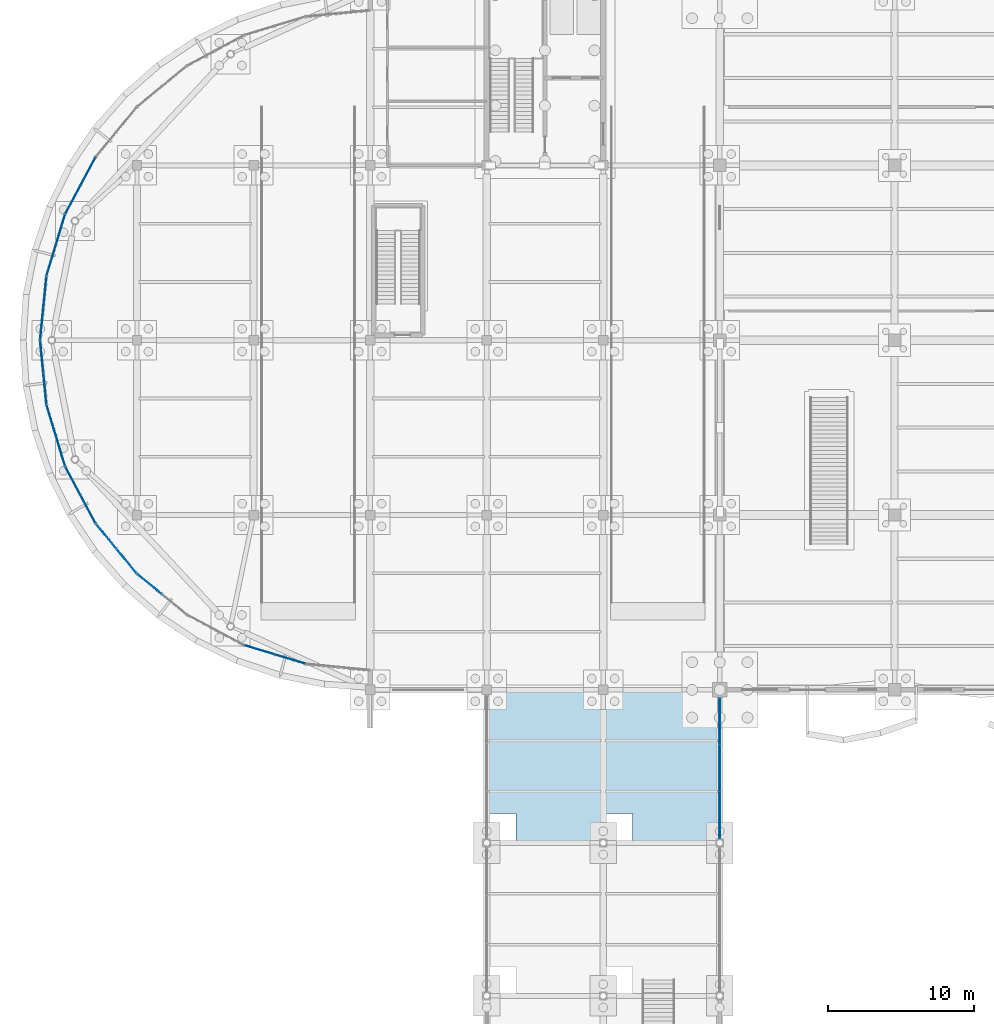
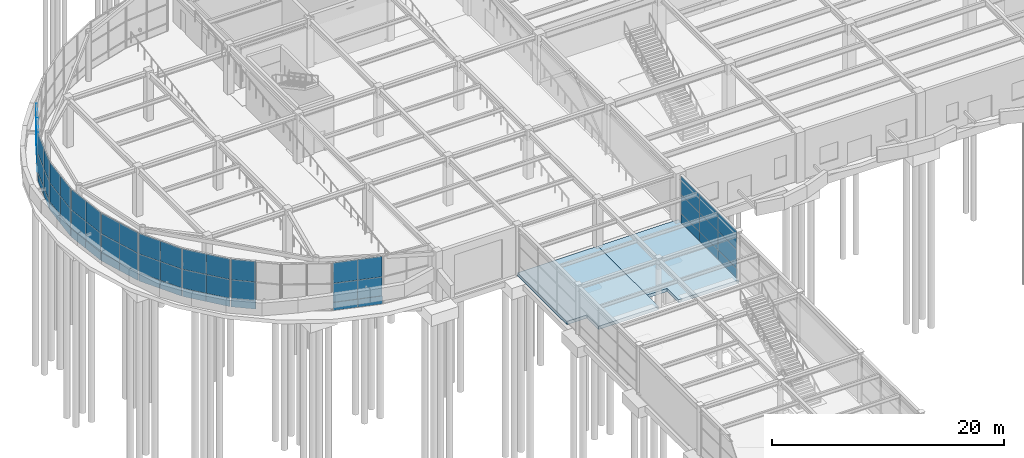
# One storey, part 52 of 85: 60 plates, 2 slabs, 10 elements without a shape of their own.
"""IFC4 building model written with IfcOpenShell, lengths in metres."""

from ifc_helpers import new_model, si_unit, direction, frame, origin, origin_2d, place, context, subcontext, project, spatial, polyline, rectangle, outline, extrude, material, layer, layer_set, type_object, element, aggregate, save


model = new_model("IFC4")

# Units and contexts
model_context = context("Model", 3, precision=1e-05, world=origin(), true_north=direction((0.0, 1.0)))
body_context = subcontext(model_context, "Body", "Model", "MODEL_VIEW")
ifc_project = project(units=[si_unit("LENGTHUNIT", "METRE"), si_unit("AREAUNIT", "SQUARE_METRE"), si_unit("VOLUMEUNIT", "CUBIC_METRE"), si_unit("PLANEANGLEUNIT", "RADIAN"), si_unit("MASSUNIT", "GRAM", prefix="KILO")], contexts=[model_context])

# Site, building, storey
site_placement = place(None, origin())
site = spatial("IfcSite", under=ifc_project, at=site_placement, CompositionType="ELEMENT")
building_placement = place(site_placement, origin())
building = spatial("IfcBuilding", under=site, at=building_placement, Name="Keelwater Ferry Terminal", CompositionType="ELEMENT")
storey_placement = place(building_placement, origin())
storey = spatial("IfcBuildingStorey", under=building, at=storey_placement, Name="L00", CompositionType="ELEMENT", Elevation=0.0)

# Curtain wall, plates
ifc_material_1 = material(Name="Thermally broken unitised aluminium and triple glass", Category="aluminium")
ifc_layer_1 = layer(ifc_material_1, 0.179931640625)
ifc_layer_set_1 = layer_set([ifc_layer_1], Name="Thermally broken unitised aluminium and triple glass")
curtain_wall_type_1 = type_object("IfcCurtainWallType", Name="CW-12 Unitised Curtain Wall 9596x4950", PredefinedType="USERDEFINED", material=ifc_layer_set_1)
curtain_wall_1_placement = place(storey_placement, origin())
curtain_wall_1 = element("IfcCurtainWall", 1, at=curtain_wall_1_placement, inside=storey, type_object=curtain_wall_type_1, Name="Unitised Curtain Wall CW-L00-057", ObjectType="UNITISED CURTAIN WALL", PredefinedType="USERDEFINED")
ifc_material_2 = material(Name="Insulated aluminium spandrel", Category="aluminium")
ifc_layer_2 = layer(ifc_material_2, 0.080078125)
ifc_layer_set_2 = layer_set([ifc_layer_2], Name="Insulated aluminium spandrel")
plate_type_1 = type_object("IfcPlateType", Name="CWP-S1 Insulated Spandrel Panel 80", PredefinedType="CURTAIN_PANEL", material=ifc_layer_set_2)
plate_1_placement = place(storey_placement, frame((48.0, 33.42822265625, 0.0), z_axis=(0.0, 0.0, 1.0), x_axis=(0.0, 1.0, 0.0)))
plate_1 = element("IfcPlate", 2, at=plate_1_placement, type_object=plate_type_1, Name="CW-L00-057 Panel 1.1", PredefinedType="CURTAIN_PANEL", context=body_context, shape_type="SweptSolid", body=[
    extrude(rectangle(XDim=3.19873046875, YDim=0.080078125, at=origin_2d()), origin(), (0.0, 0.0, 1.0), 1.0),
])
plate_2_placement = place(storey_placement, frame((48.0, 36.626953125, 0.0), z_axis=(0.0, 0.0, 1.0), x_axis=(0.0, 1.0, 0.0)))
plate_2 = element("IfcPlate", 3, at=plate_2_placement, type_object=plate_type_1, Name="CW-L00-057 Panel 2.1", PredefinedType="CURTAIN_PANEL", context=body_context, shape_type="SweptSolid", body=[
    extrude(rectangle(XDim=3.19873046875, YDim=0.080078125, at=origin_2d()), origin(), (0.0, 0.0, 1.0), 1.0),
])
plate_3_placement = place(storey_placement, frame((48.0, 39.82568359375, 0.0), z_axis=(0.0, 0.0, 1.0), x_axis=(0.0, 1.0, 0.0)))
plate_3 = element("IfcPlate", 4, at=plate_3_placement, type_object=plate_type_1, Name="CW-L00-057 Panel 3.1", PredefinedType="CURTAIN_PANEL", context=body_context, shape_type="SweptSolid", body=[
    extrude(rectangle(XDim=3.19873046875, YDim=0.080078125, at=origin_2d()), origin(), (0.0, 0.0, 1.0), 1.0),
])

ifc_material_3 = material(Name="Thermally broken unitised aluminium and triple glass", Category="aluminium")
ifc_layer_3 = layer(ifc_material_3, 0.179931640625)
ifc_layer_set_3 = layer_set([ifc_layer_3], Name="Thermally broken unitised aluminium and triple glass")
curtain_wall_type_2 = type_object("IfcCurtainWallType", Name="CW-16 Unitised Curtain Wall 4350x5020", PredefinedType="USERDEFINED", material=ifc_layer_set_3)
curtain_wall_2_placement = place(storey_placement, origin())
curtain_wall_2 = element("IfcCurtainWall", 5, at=curtain_wall_2_placement, inside=storey, type_object=curtain_wall_type_2, Name="Unitised Curtain Wall CW-L00-082", ObjectType="UNITISED CURTAIN WALL", PredefinedType="USERDEFINED")
ifc_material_4 = material(Name="Insulated white cassette spandrel", Category="aluminium")
ifc_layer_4 = layer(ifc_material_4, 0.094970703125)
ifc_layer_set_4 = layer_set([ifc_layer_4], Name="Insulated white cassette spandrel")
plate_type_2 = type_object("IfcPlateType", Name="CWP-S2 Insulated Spandrel Panel 95", PredefinedType="CURTAIN_PANEL", material=ifc_layer_set_4)
plate_4_placement = place(storey_placement, frame((4.63330078125, 77.5849609375, 0.0), z_axis=(0.0, 0.0, 1.0), x_axis=(-0.471506749303, -0.881862452632, 0.0)))
plate_4 = element("IfcPlate", 6, at=plate_4_placement, type_object=plate_type_2, Name="CW-L00-082 Panel 1.1", PredefinedType="CURTAIN_PANEL", context=body_context, shape_type="SweptSolid", body=[
    extrude(rectangle(XDim=2.175048828125, YDim=0.094970703125, at=origin_2d()), origin(), (0.0, 0.0, 1.0), 0.85009765625),
])
plate_5_placement = place(storey_placement, frame((3.607666015625, 75.6669921875, 0.0), z_axis=(0.0, 0.0, 1.0), x_axis=(-0.471506749303, -0.881862452632, 0.0)))
plate_5 = element("IfcPlate", 7, at=plate_5_placement, type_object=plate_type_2, Name="CW-L00-082 Panel 2.1", PredefinedType="CURTAIN_PANEL", context=body_context, shape_type="SweptSolid", body=[
    extrude(rectangle(XDim=2.175048828125, YDim=0.094970703125, at=origin_2d()), origin(), (0.0, 0.0, 1.0), 0.85009765625),
])

curtain_wall_3_placement = place(storey_placement, origin())
curtain_wall_3 = element("IfcCurtainWall", 8, at=curtain_wall_3_placement, inside=storey, type_object=curtain_wall_type_2, Name="Unitised Curtain Wall CW-L00-083", ObjectType="UNITISED CURTAIN WALL", PredefinedType="USERDEFINED")
plate_6_placement = place(storey_placement, frame((2.745361328125, 73.584228515625, 0.0), z_axis=(0.0, 0.0, 1.0), x_axis=(-0.290319989003, -0.956929623319, 0.0)))
plate_6 = element("IfcPlate", 9, at=plate_6_placement, type_object=plate_type_2, Name="CW-L00-083 Panel 1.1", PredefinedType="CURTAIN_PANEL", context=body_context, shape_type="SweptSolid", body=[
    extrude(rectangle(XDim=2.17529296875, YDim=0.094970703125, at=origin_2d()), origin(), (0.0, 0.0, 1.0), 0.85009765625),
])
plate_7_placement = place(storey_placement, frame((2.11376953125, 71.502685546875, 0.0), z_axis=(0.0, 0.0, 1.0), x_axis=(-0.290319989003, -0.956929623319, 0.0)))
plate_7 = element("IfcPlate", 10, at=plate_7_placement, type_object=plate_type_2, Name="CW-L00-083 Panel 2.1", PredefinedType="CURTAIN_PANEL", context=body_context, shape_type="SweptSolid", body=[
    extrude(rectangle(XDim=2.17529296875, YDim=0.094970703125, at=origin_2d()), origin(), (0.0, 0.0, 1.0), 0.85009765625),
])

curtain_wall_4_placement = place(storey_placement, origin())
curtain_wall_4 = element("IfcCurtainWall", 11, at=curtain_wall_4_placement, inside=storey, type_object=curtain_wall_type_2, Name="Unitised Curtain Wall CW-L00-084", ObjectType="UNITISED CURTAIN WALL", PredefinedType="USERDEFINED")
plate_8_placement = place(storey_placement, frame((1.67431640625, 69.291748046875, 0.0), z_axis=(0.0, 0.0, 1.0), x_axis=(-0.098160737969, -0.995170573079, 0.0)))
plate_8 = element("IfcPlate", 12, at=plate_8_placement, type_object=plate_type_2, Name="CW-L00-084 Panel 1.1", PredefinedType="CURTAIN_PANEL", context=body_context, shape_type="SweptSolid", body=[
    extrude(rectangle(XDim=2.175048828125, YDim=0.094970703125, at=origin_2d()), origin(), (0.0, 0.0, 1.0), 0.85009765625),
])
plate_9_placement = place(storey_placement, frame((1.460693359375, 67.127197265625, 0.0), z_axis=(0.0, 0.0, 1.0), x_axis=(-0.098160737969, -0.995170573079, 0.0)))
plate_9 = element("IfcPlate", 13, at=plate_9_placement, type_object=plate_type_2, Name="CW-L00-084 Panel 2.1", PredefinedType="CURTAIN_PANEL", context=body_context, shape_type="SweptSolid", body=[
    extrude(rectangle(XDim=2.175048828125, YDim=0.094970703125, at=origin_2d()), origin(), (0.0, 0.0, 1.0), 0.85009765625),
])

curtain_wall_5_placement = place(storey_placement, origin())
curtain_wall_5 = element("IfcCurtainWall", 14, at=curtain_wall_5_placement, inside=storey, type_object=curtain_wall_type_2, Name="Unitised Curtain Wall CW-L00-085", ObjectType="UNITISED CURTAIN WALL", PredefinedType="USERDEFINED")
plate_10_placement = place(storey_placement, frame((1.460693359375, 64.872802734375, 0.0), z_axis=(0.0, 0.0, 1.0), x_axis=(0.098160737969, -0.995170573079, 0.0)))
plate_10 = element("IfcPlate", 15, at=plate_10_placement, type_object=plate_type_2, Name="CW-L00-085 Panel 1.1", PredefinedType="CURTAIN_PANEL", context=body_context, shape_type="SweptSolid", body=[
    extrude(rectangle(XDim=2.175048828125, YDim=0.094970703125, at=origin_2d()), origin(), (0.0, 0.0, 1.0), 0.85009765625),
])
plate_11_placement = place(storey_placement, frame((1.67431640625, 62.708251953125, 0.0), z_axis=(0.0, 0.0, 1.0), x_axis=(0.098160737969, -0.995170573079, 0.0)))
plate_11 = element("IfcPlate", 16, at=plate_11_placement, type_object=plate_type_2, Name="CW-L00-085 Panel 2.1", PredefinedType="CURTAIN_PANEL", context=body_context, shape_type="SweptSolid", body=[
    extrude(rectangle(XDim=2.175048828125, YDim=0.094970703125, at=origin_2d()), origin(), (0.0, 0.0, 1.0), 0.85009765625),
])

curtain_wall_6_placement = place(storey_placement, origin())
curtain_wall_6 = element("IfcCurtainWall", 17, at=curtain_wall_6_placement, inside=storey, type_object=curtain_wall_type_2, Name="Unitised Curtain Wall CW-L00-086", ObjectType="UNITISED CURTAIN WALL", PredefinedType="USERDEFINED")
plate_12_placement = place(storey_placement, frame((2.11376953125, 60.497314453125, 0.0), z_axis=(0.0, 0.0, 1.0), x_axis=(0.290319989003, -0.956929623319, 0.0)))
plate_12 = element("IfcPlate", 18, at=plate_12_placement, type_object=plate_type_2, Name="CW-L00-086 Panel 1.1", PredefinedType="CURTAIN_PANEL", context=body_context, shape_type="SweptSolid", body=[
    extrude(rectangle(XDim=2.17529296875, YDim=0.094970703125, at=origin_2d()), origin(), (0.0, 0.0, 1.0), 0.85009765625),
])
plate_13_placement = place(storey_placement, frame((2.745361328125, 58.415771484375, 0.0), z_axis=(0.0, 0.0, 1.0), x_axis=(0.290319989003, -0.956929623319, 0.0)))
plate_13 = element("IfcPlate", 19, at=plate_13_placement, type_object=plate_type_2, Name="CW-L00-086 Panel 2.1", PredefinedType="CURTAIN_PANEL", context=body_context, shape_type="SweptSolid", body=[
    extrude(rectangle(XDim=2.17529296875, YDim=0.094970703125, at=origin_2d()), origin(), (0.0, 0.0, 1.0), 0.85009765625),
])

curtain_wall_7_placement = place(storey_placement, origin())
curtain_wall_7 = element("IfcCurtainWall", 20, at=curtain_wall_7_placement, inside=storey, type_object=curtain_wall_type_2, Name="Unitised Curtain Wall CW-L00-087", ObjectType="UNITISED CURTAIN WALL", PredefinedType="USERDEFINED")
plate_14_placement = place(storey_placement, frame((3.607666015625, 56.3330078125, 0.0), z_axis=(0.0, 0.0, 1.0), x_axis=(0.471506749303, -0.881862452632, 0.0)))
plate_14 = element("IfcPlate", 21, at=plate_14_placement, type_object=plate_type_2, Name="CW-L00-087 Panel 1.1", PredefinedType="CURTAIN_PANEL", context=body_context, shape_type="SweptSolid", body=[
    extrude(rectangle(XDim=2.175048828125, YDim=0.094970703125, at=origin_2d()), origin(), (0.0, 0.0, 1.0), 0.85009765625),
])
plate_15_placement = place(storey_placement, frame((4.63330078125, 54.4150390625, 0.0), z_axis=(0.0, 0.0, 1.0), x_axis=(0.471506749303, -0.881862452632, 0.0)))
plate_15 = element("IfcPlate", 22, at=plate_15_placement, type_object=plate_type_2, Name="CW-L00-087 Panel 2.1", PredefinedType="CURTAIN_PANEL", context=body_context, shape_type="SweptSolid", body=[
    extrude(rectangle(XDim=2.175048828125, YDim=0.094970703125, at=origin_2d()), origin(), (0.0, 0.0, 1.0), 0.85009765625),
])

curtain_wall_8_placement = place(storey_placement, origin())
curtain_wall_8 = element("IfcCurtainWall", 23, at=curtain_wall_8_placement, inside=storey, type_object=curtain_wall_type_2, Name="Unitised Curtain Wall CW-L00-088", ObjectType="UNITISED CURTAIN WALL", PredefinedType="USERDEFINED")
plate_16_placement = place(storey_placement, frame((5.8857421875, 52.54052734375, 0.0), z_axis=(0.0, 0.0, 1.0), x_axis=(0.634376508991, -0.773024220086, 0.0)))
plate_16 = element("IfcPlate", 24, at=plate_16_placement, type_object=plate_type_2, Name="CW-L00-088 Panel 1.1", PredefinedType="CURTAIN_PANEL", context=body_context, shape_type="SweptSolid", body=[
    extrude(rectangle(XDim=2.174560546875, YDim=0.094970703125, at=origin_2d()), origin(), (0.0, 0.0, 1.0), 0.85009765625),
])
plate_17_placement = place(storey_placement, frame((7.26513671875, 50.859619140625, 0.0), z_axis=(0.0, 0.0, 1.0), x_axis=(0.634376508991, -0.773024220086, 0.0)))
plate_17 = element("IfcPlate", 25, at=plate_17_placement, type_object=plate_type_2, Name="CW-L00-088 Panel 2.1", PredefinedType="CURTAIN_PANEL", context=body_context, shape_type="SweptSolid", body=[
    extrude(rectangle(XDim=2.174560546875, YDim=0.094970703125, at=origin_2d()), origin(), (0.0, 0.0, 1.0), 0.85009765625),
])

# Curtain wall, plate
curtain_wall_9_placement = place(storey_placement, origin())
curtain_wall_9 = element("IfcCurtainWall", 26, at=curtain_wall_9_placement, inside=storey, type_object=curtain_wall_type_2, Name="Unitised Curtain Wall CW-L00-089", ObjectType="UNITISED CURTAIN WALL", PredefinedType="USERDEFINED")
plate_18_placement = place(storey_placement, frame((8.859619140625, 49.26513671875, 0.0), z_axis=(0.0, 0.0, 1.0), x_axis=(0.773024220086, -0.634376508991, 0.0)))
plate_18 = element("IfcPlate", 27, at=plate_18_placement, type_object=plate_type_2, Name="CW-L00-089 Panel 1.1", PredefinedType="CURTAIN_PANEL", context=body_context, shape_type="SweptSolid", body=[
    extrude(rectangle(XDim=2.174560546875, YDim=0.094970703125, at=origin_2d()), origin(), (0.0, 0.0, 1.0), 0.85009765625),
])

# Curtain wall, plates
curtain_wall_10_placement = place(storey_placement, origin())
curtain_wall_10 = element("IfcCurtainWall", 28, at=curtain_wall_10_placement, inside=storey, type_object=curtain_wall_type_2, Name="Unitised Curtain Wall CW-L00-091", ObjectType="UNITISED CURTAIN WALL", PredefinedType="USERDEFINED")
plate_19_placement = place(storey_placement, frame((16.415771484375, 44.745361328125, 0.0), z_axis=(0.0, 0.0, 1.0), x_axis=(0.956929623319, -0.290319989003, 0.0)))
plate_19 = element("IfcPlate", 29, at=plate_19_placement, type_object=plate_type_2, Name="CW-L00-091 Panel 1.1", PredefinedType="CURTAIN_PANEL", context=body_context, shape_type="SweptSolid", body=[
    extrude(rectangle(XDim=2.17529296875, YDim=0.094970703125, at=origin_2d()), origin(), (0.0, 0.0, 1.0), 0.85009765625),
])
plate_20_placement = place(storey_placement, frame((18.497314453125, 44.11376953125, 0.0), z_axis=(0.0, 0.0, 1.0), x_axis=(0.956929623319, -0.290319989003, 0.0)))
plate_20 = element("IfcPlate", 30, at=plate_20_placement, type_object=plate_type_2, Name="CW-L00-091 Panel 2.1", PredefinedType="CURTAIN_PANEL", context=body_context, shape_type="SweptSolid", body=[
    extrude(rectangle(XDim=2.17529296875, YDim=0.094970703125, at=origin_2d()), origin(), (0.0, 0.0, 1.0), 0.85009765625),
])

# Plate
ifc_material_5 = material(Name="Triple low-E laminated glass", Category="glass")
ifc_layer_5 = layer(ifc_material_5, 0.035888671875)
ifc_layer_set_5 = layer_set([ifc_layer_5], Name="Triple low-E laminated glass")
plate_type_3 = type_object("IfcPlateType", Name="CWP-V1 Glazed Vision Panel 36", PredefinedType="CURTAIN_PANEL", material=ifc_layer_set_5)
plate_21_placement = place(storey_placement, frame((4.63330078125, 77.5849609375, 0.85009765625), z_axis=(0.0, 0.0, 1.0), x_axis=(-0.471506749303, -0.881862452632, 0.0)))
plate_21 = element("IfcPlate", 31, at=plate_21_placement, type_object=plate_type_3, Name="CW-L00-082 Panel 1.2", PredefinedType="CURTAIN_PANEL", context=body_context, shape_type="SweptSolid", body=[
    extrude(rectangle(XDim=2.175048828125, YDim=0.035888671875, at=origin_2d()), origin(), (0.0, 0.0, 1.0), 2.0),
])

plate_22_placement = place(storey_placement, frame((4.63330078125, 77.5849609375, 2.85009765625), z_axis=(0.0, 0.0, 1.0), x_axis=(-0.471506749303, -0.881862452632, 0.0)))
plate_22 = element("IfcPlate", 32, at=plate_22_placement, type_object=plate_type_3, Name="CW-L00-082 Panel 1.3", PredefinedType="CURTAIN_PANEL", context=body_context, shape_type="SweptSolid", body=[
    extrude(rectangle(XDim=2.175048828125, YDim=0.035888671875, at=origin_2d()), origin(), (0.0, 0.0, 1.0), 2.169921875),
])

plate_23_placement = place(storey_placement, frame((3.607666015625, 75.6669921875, 0.85009765625), z_axis=(0.0, 0.0, 1.0), x_axis=(-0.471506749303, -0.881862452632, 0.0)))
plate_23 = element("IfcPlate", 33, at=plate_23_placement, type_object=plate_type_3, Name="CW-L00-082 Panel 2.2", PredefinedType="CURTAIN_PANEL", context=body_context, shape_type="SweptSolid", body=[
    extrude(rectangle(XDim=2.175048828125, YDim=0.035888671875, at=origin_2d()), origin(), (0.0, 0.0, 1.0), 2.0),
])

plate_24_placement = place(storey_placement, frame((3.607666015625, 75.6669921875, 2.85009765625), z_axis=(0.0, 0.0, 1.0), x_axis=(-0.471506749303, -0.881862452632, 0.0)))
plate_24 = element("IfcPlate", 34, at=plate_24_placement, type_object=plate_type_3, Name="CW-L00-082 Panel 2.3", PredefinedType="CURTAIN_PANEL", context=body_context, shape_type="SweptSolid", body=[
    extrude(rectangle(XDim=2.175048828125, YDim=0.035888671875, at=origin_2d()), origin(), (0.0, 0.0, 1.0), 2.169921875),
])

aggregate(curtain_wall_2, [plate_4, plate_21, plate_22, plate_5, plate_23, plate_24])

plate_25_placement = place(storey_placement, frame((2.745361328125, 73.584228515625, 0.85009765625), z_axis=(0.0, 0.0, 1.0), x_axis=(-0.290319989003, -0.956929623319, 0.0)))
plate_25 = element("IfcPlate", 35, at=plate_25_placement, type_object=plate_type_3, Name="CW-L00-083 Panel 1.2", PredefinedType="CURTAIN_PANEL", context=body_context, shape_type="SweptSolid", body=[
    extrude(rectangle(XDim=2.17529296875, YDim=0.035888671875, at=origin_2d()), origin(), (0.0, 0.0, 1.0), 2.0),
])

plate_26_placement = place(storey_placement, frame((2.745361328125, 73.584228515625, 2.85009765625), z_axis=(0.0, 0.0, 1.0), x_axis=(-0.290319989003, -0.956929623319, 0.0)))
plate_26 = element("IfcPlate", 36, at=plate_26_placement, type_object=plate_type_3, Name="CW-L00-083 Panel 1.3", PredefinedType="CURTAIN_PANEL", context=body_context, shape_type="SweptSolid", body=[
    extrude(rectangle(XDim=2.17529296875, YDim=0.035888671875, at=origin_2d()), origin(), (0.0, 0.0, 1.0), 2.169921875),
])

plate_27_placement = place(storey_placement, frame((2.11376953125, 71.502685546875, 0.85009765625), z_axis=(0.0, 0.0, 1.0), x_axis=(-0.290319989003, -0.956929623319, 0.0)))
plate_27 = element("IfcPlate", 37, at=plate_27_placement, type_object=plate_type_3, Name="CW-L00-083 Panel 2.2", PredefinedType="CURTAIN_PANEL", context=body_context, shape_type="SweptSolid", body=[
    extrude(rectangle(XDim=2.17529296875, YDim=0.035888671875, at=origin_2d()), origin(), (0.0, 0.0, 1.0), 2.0),
])

plate_28_placement = place(storey_placement, frame((2.11376953125, 71.502685546875, 2.85009765625), z_axis=(0.0, 0.0, 1.0), x_axis=(-0.290319989003, -0.956929623319, 0.0)))
plate_28 = element("IfcPlate", 38, at=plate_28_placement, type_object=plate_type_3, Name="CW-L00-083 Panel 2.3", PredefinedType="CURTAIN_PANEL", context=body_context, shape_type="SweptSolid", body=[
    extrude(rectangle(XDim=2.17529296875, YDim=0.035888671875, at=origin_2d()), origin(), (0.0, 0.0, 1.0), 2.169921875),
])

aggregate(curtain_wall_3, [plate_6, plate_25, plate_26, plate_7, plate_27, plate_28])

plate_29_placement = place(storey_placement, frame((1.67431640625, 69.291748046875, 0.85009765625), z_axis=(0.0, 0.0, 1.0), x_axis=(-0.098160737969, -0.995170573079, 0.0)))
plate_29 = element("IfcPlate", 39, at=plate_29_placement, type_object=plate_type_3, Name="CW-L00-084 Panel 1.2", PredefinedType="CURTAIN_PANEL", context=body_context, shape_type="SweptSolid", body=[
    extrude(rectangle(XDim=2.175048828125, YDim=0.035888671875, at=origin_2d()), origin(), (0.0, 0.0, 1.0), 2.0),
])

plate_30_placement = place(storey_placement, frame((1.67431640625, 69.291748046875, 2.85009765625), z_axis=(0.0, 0.0, 1.0), x_axis=(-0.098160737969, -0.995170573079, 0.0)))
plate_30 = element("IfcPlate", 40, at=plate_30_placement, type_object=plate_type_3, Name="CW-L00-084 Panel 1.3", PredefinedType="CURTAIN_PANEL", context=body_context, shape_type="SweptSolid", body=[
    extrude(rectangle(XDim=2.175048828125, YDim=0.035888671875, at=origin_2d()), origin(), (0.0, 0.0, 1.0), 2.169921875),
])

plate_31_placement = place(storey_placement, frame((1.460693359375, 67.127197265625, 0.85009765625), z_axis=(0.0, 0.0, 1.0), x_axis=(-0.098160737969, -0.995170573079, 0.0)))
plate_31 = element("IfcPlate", 41, at=plate_31_placement, type_object=plate_type_3, Name="CW-L00-084 Panel 2.2", PredefinedType="CURTAIN_PANEL", context=body_context, shape_type="SweptSolid", body=[
    extrude(rectangle(XDim=2.175048828125, YDim=0.035888671875, at=origin_2d()), origin(), (0.0, 0.0, 1.0), 2.0),
])

plate_32_placement = place(storey_placement, frame((1.460693359375, 67.127197265625, 2.85009765625), z_axis=(0.0, 0.0, 1.0), x_axis=(-0.098160737969, -0.995170573079, 0.0)))
plate_32 = element("IfcPlate", 42, at=plate_32_placement, type_object=plate_type_3, Name="CW-L00-084 Panel 2.3", PredefinedType="CURTAIN_PANEL", context=body_context, shape_type="SweptSolid", body=[
    extrude(rectangle(XDim=2.175048828125, YDim=0.035888671875, at=origin_2d()), origin(), (0.0, 0.0, 1.0), 2.169921875),
])

aggregate(curtain_wall_4, [plate_8, plate_29, plate_30, plate_9, plate_31, plate_32])

plate_33_placement = place(storey_placement, frame((1.460693359375, 64.872802734375, 0.85009765625), z_axis=(0.0, 0.0, 1.0), x_axis=(0.098160737969, -0.995170573079, 0.0)))
plate_33 = element("IfcPlate", 43, at=plate_33_placement, type_object=plate_type_3, Name="CW-L00-085 Panel 1.2", PredefinedType="CURTAIN_PANEL", context=body_context, shape_type="SweptSolid", body=[
    extrude(rectangle(XDim=2.175048828125, YDim=0.035888671875, at=origin_2d()), origin(), (0.0, 0.0, 1.0), 2.0),
])

plate_34_placement = place(storey_placement, frame((1.460693359375, 64.872802734375, 2.85009765625), z_axis=(0.0, 0.0, 1.0), x_axis=(0.098160737969, -0.995170573079, 0.0)))
plate_34 = element("IfcPlate", 44, at=plate_34_placement, type_object=plate_type_3, Name="CW-L00-085 Panel 1.3", PredefinedType="CURTAIN_PANEL", context=body_context, shape_type="SweptSolid", body=[
    extrude(rectangle(XDim=2.175048828125, YDim=0.035888671875, at=origin_2d()), origin(), (0.0, 0.0, 1.0), 2.169921875),
])

plate_35_placement = place(storey_placement, frame((1.67431640625, 62.708251953125, 0.85009765625), z_axis=(0.0, 0.0, 1.0), x_axis=(0.098160737969, -0.995170573079, 0.0)))
plate_35 = element("IfcPlate", 45, at=plate_35_placement, type_object=plate_type_3, Name="CW-L00-085 Panel 2.2", PredefinedType="CURTAIN_PANEL", context=body_context, shape_type="SweptSolid", body=[
    extrude(rectangle(XDim=2.175048828125, YDim=0.035888671875, at=origin_2d()), origin(), (0.0, 0.0, 1.0), 2.0),
])

plate_36_placement = place(storey_placement, frame((1.67431640625, 62.708251953125, 2.85009765625), z_axis=(0.0, 0.0, 1.0), x_axis=(0.098160737969, -0.995170573079, 0.0)))
plate_36 = element("IfcPlate", 46, at=plate_36_placement, type_object=plate_type_3, Name="CW-L00-085 Panel 2.3", PredefinedType="CURTAIN_PANEL", context=body_context, shape_type="SweptSolid", body=[
    extrude(rectangle(XDim=2.175048828125, YDim=0.035888671875, at=origin_2d()), origin(), (0.0, 0.0, 1.0), 2.169921875),
])

aggregate(curtain_wall_5, [plate_10, plate_33, plate_34, plate_11, plate_35, plate_36])

plate_37_placement = place(storey_placement, frame((2.11376953125, 60.497314453125, 0.85009765625), z_axis=(0.0, 0.0, 1.0), x_axis=(0.290319989003, -0.956929623319, 0.0)))
plate_37 = element("IfcPlate", 47, at=plate_37_placement, type_object=plate_type_3, Name="CW-L00-086 Panel 1.2", PredefinedType="CURTAIN_PANEL", context=body_context, shape_type="SweptSolid", body=[
    extrude(rectangle(XDim=2.17529296875, YDim=0.035888671875, at=origin_2d()), origin(), (0.0, 0.0, 1.0), 2.0),
])

plate_38_placement = place(storey_placement, frame((2.11376953125, 60.497314453125, 2.85009765625), z_axis=(0.0, 0.0, 1.0), x_axis=(0.290319989003, -0.956929623319, 0.0)))
plate_38 = element("IfcPlate", 48, at=plate_38_placement, type_object=plate_type_3, Name="CW-L00-086 Panel 1.3", PredefinedType="CURTAIN_PANEL", context=body_context, shape_type="SweptSolid", body=[
    extrude(rectangle(XDim=2.17529296875, YDim=0.035888671875, at=origin_2d()), origin(), (0.0, 0.0, 1.0), 2.169921875),
])

plate_39_placement = place(storey_placement, frame((2.745361328125, 58.415771484375, 0.85009765625), z_axis=(0.0, 0.0, 1.0), x_axis=(0.290319989003, -0.956929623319, 0.0)))
plate_39 = element("IfcPlate", 49, at=plate_39_placement, type_object=plate_type_3, Name="CW-L00-086 Panel 2.2", PredefinedType="CURTAIN_PANEL", context=body_context, shape_type="SweptSolid", body=[
    extrude(rectangle(XDim=2.17529296875, YDim=0.035888671875, at=origin_2d()), origin(), (0.0, 0.0, 1.0), 2.0),
])

plate_40_placement = place(storey_placement, frame((2.745361328125, 58.415771484375, 2.85009765625), z_axis=(0.0, 0.0, 1.0), x_axis=(0.290319989003, -0.956929623319, 0.0)))
plate_40 = element("IfcPlate", 50, at=plate_40_placement, type_object=plate_type_3, Name="CW-L00-086 Panel 2.3", PredefinedType="CURTAIN_PANEL", context=body_context, shape_type="SweptSolid", body=[
    extrude(rectangle(XDim=2.17529296875, YDim=0.035888671875, at=origin_2d()), origin(), (0.0, 0.0, 1.0), 2.169921875),
])

aggregate(curtain_wall_6, [plate_12, plate_37, plate_38, plate_13, plate_39, plate_40])

plate_41_placement = place(storey_placement, frame((3.607666015625, 56.3330078125, 0.85009765625), z_axis=(0.0, 0.0, 1.0), x_axis=(0.471506749303, -0.881862452632, 0.0)))
plate_41 = element("IfcPlate", 51, at=plate_41_placement, type_object=plate_type_3, Name="CW-L00-087 Panel 1.2", PredefinedType="CURTAIN_PANEL", context=body_context, shape_type="SweptSolid", body=[
    extrude(rectangle(XDim=2.175048828125, YDim=0.035888671875, at=origin_2d()), origin(), (0.0, 0.0, 1.0), 2.0),
])

plate_42_placement = place(storey_placement, frame((3.607666015625, 56.3330078125, 2.85009765625), z_axis=(0.0, 0.0, 1.0), x_axis=(0.471506749303, -0.881862452632, 0.0)))
plate_42 = element("IfcPlate", 52, at=plate_42_placement, type_object=plate_type_3, Name="CW-L00-087 Panel 1.3", PredefinedType="CURTAIN_PANEL", context=body_context, shape_type="SweptSolid", body=[
    extrude(rectangle(XDim=2.175048828125, YDim=0.035888671875, at=origin_2d()), origin(), (0.0, 0.0, 1.0), 2.169921875),
])

plate_43_placement = place(storey_placement, frame((4.63330078125, 54.4150390625, 0.85009765625), z_axis=(0.0, 0.0, 1.0), x_axis=(0.471506749303, -0.881862452632, 0.0)))
plate_43 = element("IfcPlate", 53, at=plate_43_placement, type_object=plate_type_3, Name="CW-L00-087 Panel 2.2", PredefinedType="CURTAIN_PANEL", context=body_context, shape_type="SweptSolid", body=[
    extrude(rectangle(XDim=2.175048828125, YDim=0.035888671875, at=origin_2d()), origin(), (0.0, 0.0, 1.0), 2.0),
])

plate_44_placement = place(storey_placement, frame((4.63330078125, 54.4150390625, 2.85009765625), z_axis=(0.0, 0.0, 1.0), x_axis=(0.471506749303, -0.881862452632, 0.0)))
plate_44 = element("IfcPlate", 54, at=plate_44_placement, type_object=plate_type_3, Name="CW-L00-087 Panel 2.3", PredefinedType="CURTAIN_PANEL", context=body_context, shape_type="SweptSolid", body=[
    extrude(rectangle(XDim=2.175048828125, YDim=0.035888671875, at=origin_2d()), origin(), (0.0, 0.0, 1.0), 2.169921875),
])

aggregate(curtain_wall_7, [plate_14, plate_41, plate_42, plate_15, plate_43, plate_44])

plate_45_placement = place(storey_placement, frame((5.8857421875, 52.54052734375, 0.85009765625), z_axis=(0.0, 0.0, 1.0), x_axis=(0.634376508991, -0.773024220086, 0.0)))
plate_45 = element("IfcPlate", 55, at=plate_45_placement, type_object=plate_type_3, Name="CW-L00-088 Panel 1.2", PredefinedType="CURTAIN_PANEL", context=body_context, shape_type="SweptSolid", body=[
    extrude(rectangle(XDim=2.174560546875, YDim=0.035888671875, at=origin_2d()), origin(), (0.0, 0.0, 1.0), 2.0),
])

plate_46_placement = place(storey_placement, frame((5.8857421875, 52.54052734375, 2.85009765625), z_axis=(0.0, 0.0, 1.0), x_axis=(0.634376508991, -0.773024220086, 0.0)))
plate_46 = element("IfcPlate", 56, at=plate_46_placement, type_object=plate_type_3, Name="CW-L00-088 Panel 1.3", PredefinedType="CURTAIN_PANEL", context=body_context, shape_type="SweptSolid", body=[
    extrude(rectangle(XDim=2.174560546875, YDim=0.035888671875, at=origin_2d()), origin(), (0.0, 0.0, 1.0), 2.169921875),
])

plate_47_placement = place(storey_placement, frame((7.26513671875, 50.859619140625, 0.85009765625), z_axis=(0.0, 0.0, 1.0), x_axis=(0.634376508991, -0.773024220086, 0.0)))
plate_47 = element("IfcPlate", 57, at=plate_47_placement, type_object=plate_type_3, Name="CW-L00-088 Panel 2.2", PredefinedType="CURTAIN_PANEL", context=body_context, shape_type="SweptSolid", body=[
    extrude(rectangle(XDim=2.174560546875, YDim=0.035888671875, at=origin_2d()), origin(), (0.0, 0.0, 1.0), 2.0),
])

plate_48_placement = place(storey_placement, frame((7.26513671875, 50.859619140625, 2.85009765625), z_axis=(0.0, 0.0, 1.0), x_axis=(0.634376508991, -0.773024220086, 0.0)))
plate_48 = element("IfcPlate", 58, at=plate_48_placement, type_object=plate_type_3, Name="CW-L00-088 Panel 2.3", PredefinedType="CURTAIN_PANEL", context=body_context, shape_type="SweptSolid", body=[
    extrude(rectangle(XDim=2.174560546875, YDim=0.035888671875, at=origin_2d()), origin(), (0.0, 0.0, 1.0), 2.169921875),
])

aggregate(curtain_wall_8, [plate_16, plate_45, plate_46, plate_17, plate_47, plate_48])

plate_49_placement = place(storey_placement, frame((8.859619140625, 49.26513671875, 0.85009765625), z_axis=(0.0, 0.0, 1.0), x_axis=(0.773024220086, -0.634376508991, 0.0)))
plate_49 = element("IfcPlate", 59, at=plate_49_placement, type_object=plate_type_3, Name="CW-L00-089 Panel 1.2", PredefinedType="CURTAIN_PANEL", context=body_context, shape_type="SweptSolid", body=[
    extrude(rectangle(XDim=2.174560546875, YDim=0.035888671875, at=origin_2d()), origin(), (0.0, 0.0, 1.0), 2.0),
])

plate_50_placement = place(storey_placement, frame((8.859619140625, 49.26513671875, 2.85009765625), z_axis=(0.0, 0.0, 1.0), x_axis=(0.773024220086, -0.634376508991, 0.0)))
plate_50 = element("IfcPlate", 60, at=plate_50_placement, type_object=plate_type_3, Name="CW-L00-089 Panel 1.3", PredefinedType="CURTAIN_PANEL", context=body_context, shape_type="SweptSolid", body=[
    extrude(rectangle(XDim=2.174560546875, YDim=0.035888671875, at=origin_2d()), origin(), (0.0, 0.0, 1.0), 2.169921875),
])

aggregate(curtain_wall_9, [plate_18, plate_49, plate_50])

plate_51_placement = place(storey_placement, frame((16.415771484375, 44.745361328125, 0.85009765625), z_axis=(0.0, 0.0, 1.0), x_axis=(0.956929623319, -0.290319989003, 0.0)))
plate_51 = element("IfcPlate", 61, at=plate_51_placement, type_object=plate_type_3, Name="CW-L00-091 Panel 1.2", PredefinedType="CURTAIN_PANEL", context=body_context, shape_type="SweptSolid", body=[
    extrude(rectangle(XDim=2.17529296875, YDim=0.035888671875, at=origin_2d()), origin(), (0.0, 0.0, 1.0), 2.0),
])

plate_52_placement = place(storey_placement, frame((16.415771484375, 44.745361328125, 2.85009765625), z_axis=(0.0, 0.0, 1.0), x_axis=(0.956929623319, -0.290319989003, 0.0)))
plate_52 = element("IfcPlate", 62, at=plate_52_placement, type_object=plate_type_3, Name="CW-L00-091 Panel 1.3", PredefinedType="CURTAIN_PANEL", context=body_context, shape_type="SweptSolid", body=[
    extrude(rectangle(XDim=2.17529296875, YDim=0.035888671875, at=origin_2d()), origin(), (0.0, 0.0, 1.0), 2.169921875),
])

plate_53_placement = place(storey_placement, frame((18.497314453125, 44.11376953125, 0.85009765625), z_axis=(0.0, 0.0, 1.0), x_axis=(0.956929623319, -0.290319989003, 0.0)))
plate_53 = element("IfcPlate", 63, at=plate_53_placement, type_object=plate_type_3, Name="CW-L00-091 Panel 2.2", PredefinedType="CURTAIN_PANEL", context=body_context, shape_type="SweptSolid", body=[
    extrude(rectangle(XDim=2.17529296875, YDim=0.035888671875, at=origin_2d()), origin(), (0.0, 0.0, 1.0), 2.0),
])

plate_54_placement = place(storey_placement, frame((18.497314453125, 44.11376953125, 2.85009765625), z_axis=(0.0, 0.0, 1.0), x_axis=(0.956929623319, -0.290319989003, 0.0)))
plate_54 = element("IfcPlate", 64, at=plate_54_placement, type_object=plate_type_3, Name="CW-L00-091 Panel 2.3", PredefinedType="CURTAIN_PANEL", context=body_context, shape_type="SweptSolid", body=[
    extrude(rectangle(XDim=2.17529296875, YDim=0.035888671875, at=origin_2d()), origin(), (0.0, 0.0, 1.0), 2.169921875),
])

aggregate(curtain_wall_10, [plate_19, plate_51, plate_52, plate_20, plate_53, plate_54])

ifc_material_6 = material(Name="Acoustic marine triple glass", Category="glass")
ifc_layer_6 = layer(ifc_material_6, 0.048095703125)
ifc_layer_set_6 = layer_set([ifc_layer_6], Name="Acoustic marine triple glass")
plate_type_4 = type_object("IfcPlateType", Name="CWP-V3 Glazed Vision Panel 48", PredefinedType="CURTAIN_PANEL", material=ifc_layer_set_6)
plate_55_placement = place(storey_placement, frame((48.0, 33.42822265625, 1.0), z_axis=(0.0, 0.0, 1.0), x_axis=(0.0, 1.0, 0.0)))
plate_55 = element("IfcPlate", 65, at=plate_55_placement, type_object=plate_type_4, Name="CW-L00-057 Panel 1.2", PredefinedType="CURTAIN_PANEL", context=body_context, shape_type="SweptSolid", body=[
    extrude(rectangle(XDim=3.19873046875, YDim=0.048095703125, at=origin_2d()), origin(), (0.0, 0.0, 1.0), 2.0),
])

plate_56_placement = place(storey_placement, frame((48.0, 33.42822265625, 3.0), z_axis=(0.0, 0.0, 1.0), x_axis=(0.0, 1.0, 0.0)))
plate_56 = element("IfcPlate", 66, at=plate_56_placement, type_object=plate_type_4, Name="CW-L00-057 Panel 1.3", PredefinedType="CURTAIN_PANEL", context=body_context, shape_type="SweptSolid", body=[
    extrude(rectangle(XDim=3.19873046875, YDim=0.048095703125, at=origin_2d()), origin(), (0.0, 0.0, 1.0), 1.949951171875),
])

plate_57_placement = place(storey_placement, frame((48.0, 36.626953125, 1.0), z_axis=(0.0, 0.0, 1.0), x_axis=(0.0, 1.0, 0.0)))
plate_57 = element("IfcPlate", 67, at=plate_57_placement, type_object=plate_type_4, Name="CW-L00-057 Panel 2.2", PredefinedType="CURTAIN_PANEL", context=body_context, shape_type="SweptSolid", body=[
    extrude(rectangle(XDim=3.19873046875, YDim=0.048095703125, at=origin_2d()), origin(), (0.0, 0.0, 1.0), 2.0),
])

plate_58_placement = place(storey_placement, frame((48.0, 36.626953125, 3.0), z_axis=(0.0, 0.0, 1.0), x_axis=(0.0, 1.0, 0.0)))
plate_58 = element("IfcPlate", 68, at=plate_58_placement, type_object=plate_type_4, Name="CW-L00-057 Panel 2.3", PredefinedType="CURTAIN_PANEL", context=body_context, shape_type="SweptSolid", body=[
    extrude(rectangle(XDim=3.19873046875, YDim=0.048095703125, at=origin_2d()), origin(), (0.0, 0.0, 1.0), 1.949951171875),
])

plate_59_placement = place(storey_placement, frame((48.0, 39.82568359375, 1.0), z_axis=(0.0, 0.0, 1.0), x_axis=(0.0, 1.0, 0.0)))
plate_59 = element("IfcPlate", 69, at=plate_59_placement, type_object=plate_type_4, Name="CW-L00-057 Panel 3.2", PredefinedType="CURTAIN_PANEL", context=body_context, shape_type="SweptSolid", body=[
    extrude(rectangle(XDim=3.19873046875, YDim=0.048095703125, at=origin_2d()), origin(), (0.0, 0.0, 1.0), 2.0),
])

plate_60_placement = place(storey_placement, frame((48.0, 39.82568359375, 3.0), z_axis=(0.0, 0.0, 1.0), x_axis=(0.0, 1.0, 0.0)))
plate_60 = element("IfcPlate", 70, at=plate_60_placement, type_object=plate_type_4, Name="CW-L00-057 Panel 3.3", PredefinedType="CURTAIN_PANEL", context=body_context, shape_type="SweptSolid", body=[
    extrude(rectangle(XDim=3.19873046875, YDim=0.048095703125, at=origin_2d()), origin(), (0.0, 0.0, 1.0), 1.949951171875),
])

aggregate(curtain_wall_1, [plate_1, plate_55, plate_56, plate_2, plate_57, plate_58, plate_3, plate_59, plate_60])

# Slabs
ifc_material_7 = material(Name="Concrete C35/45", Category="concrete")
ifc_layer_7 = layer(ifc_material_7, 0.340087890625)
ifc_layer_set_7 = layer_set([ifc_layer_7], Name="Concrete C35/45")
slab_type = type_object("IfcSlabType", Name="SL-B340 Ground Base Slab 340", PredefinedType="BASESLAB", material=ifc_layer_set_7)
slab_1_placement = place(storey_placement, frame((0.0, 0.0, -0.340087890625)))
element("IfcSlab", 71, at=slab_1_placement, inside=storey, type_object=slab_type, Name="V3 West Berth Quay Bay Slab SL-L00-013", PredefinedType="BASESLAB", context=body_context, shape_type="SweptSolid", body=[
    extrude(outline(polyline([(34.0, 31.5), (40.0, 31.5), (40.0, 42.0), (32.0, 42.0), (32.0, 33.5), (34.0, 33.5), (34.0, 31.5)])), origin(), (0.0, 0.0, 1.0), 0.340087890625),
])
slab_2_placement = place(storey_placement, frame((0.0, 0.0, -0.340087890625)))
element("IfcSlab", 72, at=slab_2_placement, inside=storey, type_object=slab_type, Name="V3 West Berth Quay Bay Slab SL-L00-017", PredefinedType="BASESLAB", context=body_context, shape_type="SweptSolid", body=[
    extrude(outline(polyline([(42.0, 31.5), (48.0, 31.5), (48.0, 42.0), (40.0, 42.0), (40.0, 33.5), (42.0, 33.5), (42.0, 31.5)])), origin(), (0.0, 0.0, 1.0), 0.340087890625),
])

save(model, "model.ifc")
